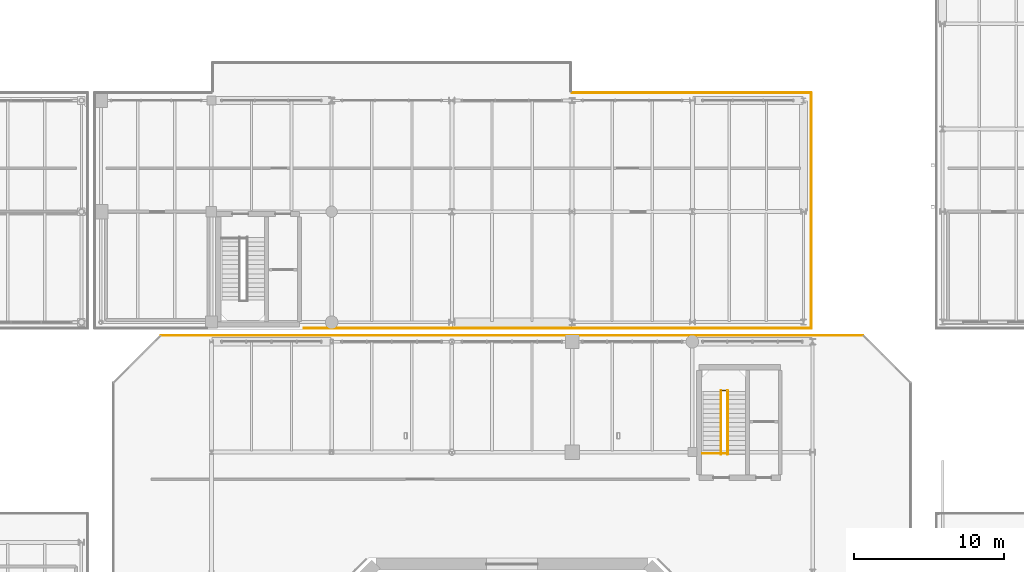
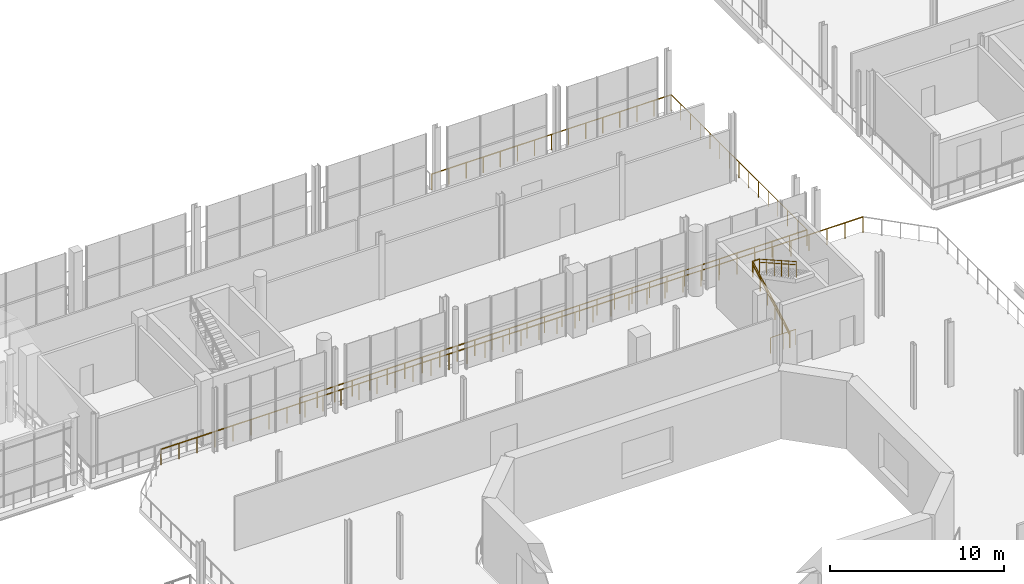
# One storey, part 89 of 93: 10 railings.
"""IFC4 building model written with IfcOpenShell, lengths in metres."""

from ifc_helpers import new_model, si_unit, direction, frame, origin, origin_2d, place, context, subcontext, project, spatial, circle, extrude, material, type_object, element, save


model = new_model("IFC4")

# Units and contexts
model_context = context("Model", 3, precision=1e-05, world=origin(), true_north=direction((0.0, 1.0)))
body_context = subcontext(model_context, "Body", "Model", "MODEL_VIEW")
ifc_project = project(units=[si_unit("LENGTHUNIT", "METRE"), si_unit("AREAUNIT", "SQUARE_METRE"), si_unit("VOLUMEUNIT", "CUBIC_METRE"), si_unit("PLANEANGLEUNIT", "RADIAN"), si_unit("MASSUNIT", "GRAM", prefix="KILO")], contexts=[model_context])

# Site, building, storey
site_placement = place(None, origin())
site = spatial("IfcSite", under=ifc_project, at=site_placement, CompositionType="ELEMENT")
building_placement = place(site_placement, origin())
building = spatial("IfcBuilding", under=site, at=building_placement, Name="Brisemont Oceanarium", CompositionType="ELEMENT")
storey_placement = place(building_placement, frame((0.0, 0.0, 5.39990234375)))
storey = spatial("IfcBuildingStorey", under=building, at=storey_placement, Name="L01", CompositionType="ELEMENT", Elevation=5.39990234375)

# Railings
ifc_material_1 = material(Name="Beaux-Arts Limestone Balustrade Precast Concrete C40/50", Category="masonry")
railing_type_1 = type_object("IfcRailingType", Name="RLG-BAL-1140", PredefinedType="BALUSTRADE", material=ifc_material_1)
railing_1_placement = place(storey_placement, frame((103.909423828125, 95.909912109375, 0.0)))
element("IfcRailing", 1, at=railing_1_placement, inside=storey, type_object=railing_type_1, Name="L01 slab perimeter safety guard 72", PredefinedType="BALUSTRADE", context=body_context, shape_type="SweptSolid", body=[
    extrude(circle(Radius=0.02392578125, at=origin_2d()), frame((0.0, 0.0, 1.11572265625), z_axis=(3.1161385e-05, -0.999999999514, 0.0), x_axis=(0.999999999514, 3.1161385e-05, 0.0)), (0.0, 0.0, 1.0), 15.66943359375),
    extrude(circle(Radius=0.02099609375, at=origin_2d()), origin(), (0.0, 0.0, 1.0), 1.091796875),
    extrude(circle(Radius=0.02099609375, at=origin_2d()), frame((0.0, -1.119140625, 0.0)), (0.0, 0.0, 1.0), 1.091796875),
    extrude(circle(Radius=0.02099609375, at=origin_2d()), frame((0.0, -2.238525390625, 0.0)), (0.0, 0.0, 1.0), 1.091796875),
    extrude(circle(Radius=0.02099609375, at=origin_2d()), frame((0.0, -3.357666015625, 0.0)), (0.0, 0.0, 1.0), 1.091796875),
    extrude(circle(Radius=0.02099609375, at=origin_2d()), frame((0.000244140625, -4.47705078125, 0.0)), (0.0, 0.0, 1.0), 1.091796875),
    extrude(circle(Radius=0.02099609375, at=origin_2d()), frame((0.000244140625, -5.59619140625, 0.0)), (0.0, 0.0, 1.0), 1.091796875),
    extrude(circle(Radius=0.02099609375, at=origin_2d()), frame((0.000244140625, -6.715576171875, 0.0)), (0.0, 0.0, 1.0), 1.091796875),
    extrude(circle(Radius=0.02099609375, at=origin_2d()), frame((0.000244140625, -7.834716796875, 0.0)), (0.0, 0.0, 1.0), 1.091796875),
    extrude(circle(Radius=0.02099609375, at=origin_2d()), frame((0.000244140625, -8.953857421875, 0.0)), (0.0, 0.0, 1.0), 1.091796875),
    extrude(circle(Radius=0.02099609375, at=origin_2d()), frame((0.000244140625, -10.0732421875, 0.0)), (0.0, 0.0, 1.0), 1.091796875),
    extrude(circle(Radius=0.02099609375, at=origin_2d()), frame((0.000244140625, -11.1923828125, 0.0)), (0.0, 0.0, 1.0), 1.091796875),
    extrude(circle(Radius=0.02099609375, at=origin_2d()), frame((0.00048828125, -12.311767578125, 0.0)), (0.0, 0.0, 1.0), 1.091796875),
    extrude(circle(Radius=0.02099609375, at=origin_2d()), frame((0.00048828125, -13.430908203125, 0.0)), (0.0, 0.0, 1.0), 1.091796875),
    extrude(circle(Radius=0.02099609375, at=origin_2d()), frame((0.00048828125, -14.55029296875, 0.0)), (0.0, 0.0, 1.0), 1.091796875),
    extrude(circle(Radius=0.02099609375, at=origin_2d()), frame((0.00048828125, -15.66943359375, 0.0)), (0.0, 0.0, 1.0), 1.091796875),
])
ifc_material_2 = material(Name="Duplex Stainless Steel EN 1.4462", Category="steel")
railing_type_2 = type_object("IfcRailingType", Name="RLG-GUARD-1120", PredefinedType="GUARDRAIL", material=ifc_material_2)
railing_2_placement = place(storey_placement, frame((96.669921875, 71.909912109375, 0.0)))
element("IfcRailing", 2, at=railing_2_placement, inside=storey, type_object=railing_type_2, Name="ST-02 L01 landing edge guard", PredefinedType="GUARDRAIL", context=body_context, shape_type="SweptSolid", body=[
    extrude(circle(Radius=0.02392578125, at=origin_2d()), frame((0.0, 0.0, 1.09619140625), z_axis=(1.0, 0.0, 0.0), x_axis=(0.0, 1.0, 0.0)), (0.0, 0.0, 1.0), 1.68017578125),
    extrude(circle(Radius=0.02099609375, at=origin_2d()), origin(), (0.0, 0.0, 1.0), 1.072021484375),
    extrude(circle(Radius=0.02099609375, at=origin_2d()), frame((0.840087890625, 0.0, 0.0)), (0.0, 0.0, 1.0), 1.072021484375),
    extrude(circle(Radius=0.02099609375, at=origin_2d()), frame((1.68017578125, 0.0, 0.0)), (0.0, 0.0, 1.0), 1.072021484375),
])
railing_3_placement = place(storey_placement, frame((97.909912109375, 71.85009765625, 0.0)))
element("IfcRailing", 3, at=railing_3_placement, inside=storey, type_object=railing_type_2, Name="ST-02 L01 F1 well guard", PredefinedType="GUARDRAIL", context=body_context, shape_type="SweptSolid", body=[
    extrude(circle(Radius=0.02392578125, at=origin_2d()), frame((0.0, 0.0, 1.09619140625), z_axis=(0.0, 0.870740716755, 0.491742416499), x_axis=(-1.0, 0.0, 0.0)), (0.0, 0.0, 1.0), 4.880859375),
    extrude(circle(Radius=0.02099609375, at=origin_2d()), origin(), (0.0, 0.0, 1.0), 1.072021484375),
    extrude(circle(Radius=0.02099609375, at=origin_2d()), frame((0.0, 0.85009765625, 0.47998046875)), (0.0, 0.0, 1.0), 1.072021484375),
    extrude(circle(Radius=0.02099609375, at=origin_2d()), frame((0.0, 1.699951171875, 0.9599609375)), (0.0, 0.0, 1.0), 1.072021484375),
    extrude(circle(Radius=0.02099609375, at=origin_2d()), frame((0.0, 2.550048828125, 1.440185546875)), (0.0, 0.0, 1.0), 1.072021484375),
    extrude(circle(Radius=0.02099609375, at=origin_2d()), frame((0.0, 3.39990234375, 1.920166015625)), (0.0, 0.0, 1.0), 1.072021484375),
    extrude(circle(Radius=0.02099609375, at=origin_2d()), frame((0.0, 4.25, 2.400146484375)), (0.0, 0.0, 1.0), 1.072021484375),
])
railing_4_placement = place(storey_placement, frame((98.35009765625, 76.10009765625, 2.400146484375)))
element("IfcRailing", 4, at=railing_4_placement, inside=storey, type_object=railing_type_2, Name="ST-02 L01 F2 well guard", PredefinedType="GUARDRAIL", context=body_context, shape_type="SweptSolid", body=[
    extrude(circle(Radius=0.02392578125, at=origin_2d()), frame((0.0, 0.0, 1.09619140625), z_axis=(0.0, -0.870762133844, 0.491704490791), x_axis=(1.0, 0.0, 0.0)), (0.0, 0.0, 1.0), 4.880859375),
    extrude(circle(Radius=0.02099609375, at=origin_2d()), origin(), (0.0, 0.0, 1.0), 1.072021484375),
    extrude(circle(Radius=0.02099609375, at=origin_2d()), frame((0.0, -0.85009765625, 0.47998046875)), (0.0, 0.0, 1.0), 1.072021484375),
    extrude(circle(Radius=0.02099609375, at=origin_2d()), frame((0.0, -1.699951171875, 0.9599609375)), (0.0, 0.0, 1.0), 1.072021484375),
    extrude(circle(Radius=0.02099609375, at=origin_2d()), frame((0.0, -2.550048828125, 1.43994140625)), (0.0, 0.0, 1.0), 1.072021484375),
    extrude(circle(Radius=0.02099609375, at=origin_2d()), frame((0.0, -3.39990234375, 1.919921875)), (0.0, 0.0, 1.0), 1.072021484375),
    extrude(circle(Radius=0.02099609375, at=origin_2d()), frame((0.0, -4.25, 2.39990234375)), (0.0, 0.0, 1.0), 1.072021484375),
])
railing_5_placement = place(storey_placement, frame((97.909912109375, 76.10009765625, 2.400146484375)))
element("IfcRailing", 5, at=railing_5_placement, inside=storey, type_object=railing_type_2, Name="ST-02 L01 landing slot guard", PredefinedType="GUARDRAIL", context=body_context, shape_type="SweptSolid", body=[
    extrude(circle(Radius=0.02392578125, at=origin_2d()), frame((0.0, 0.0, 1.09619140625), z_axis=(1.0, 0.0, 0.0), x_axis=(0.0, 1.0, 0.0)), (0.0, 0.0, 1.0), 0.440185546875),
    extrude(circle(Radius=0.02099609375, at=origin_2d()), origin(), (0.0, 0.0, 1.0), 1.072021484375),
    extrude(circle(Radius=0.02099609375, at=origin_2d()), frame((0.440185546875, 0.0, 0.0)), (0.0, 0.0, 1.0), 1.072021484375),
])
railing_6_placement = place(storey_placement, frame((60.63720703125, 79.760009765625, 0.0)))
element("IfcRailing", 6, at=railing_6_placement, inside=storey, type_object=railing_type_2, Name="L01 slab perimeter safety guard 45", PredefinedType="GUARDRAIL", context=body_context, shape_type="SweptSolid", body=[
    extrude(circle(Radius=0.02392578125, at=origin_2d()), frame((0.0, 0.0, 1.09619140625), z_axis=(1.0, 0.0, 0.0), x_axis=(0.0, 1.0, 0.0)), (0.0, 0.0, 1.0), 46.7255859375),
    extrude(circle(Radius=0.02099609375, at=origin_2d()), origin(), (0.0, 0.0, 1.0), 1.072021484375),
    extrude(circle(Radius=0.02099609375, at=origin_2d()), frame((1.197998046875, 0.0, 0.0)), (0.0, 0.0, 1.0), 1.072021484375),
    extrude(circle(Radius=0.02099609375, at=origin_2d()), frame((2.396240234375, 0.0, 0.0)), (0.0, 0.0, 1.0), 1.072021484375),
    extrude(circle(Radius=0.02099609375, at=origin_2d()), frame((3.59423828125, 0.0, 0.0)), (0.0, 0.0, 1.0), 1.072021484375),
    extrude(circle(Radius=0.02099609375, at=origin_2d()), frame((4.79248046875, 0.0, 0.0)), (0.0, 0.0, 1.0), 1.072021484375),
    extrude(circle(Radius=0.02099609375, at=origin_2d()), frame((5.990478515625, 0.0, 0.0)), (0.0, 0.0, 1.0), 1.072021484375),
    extrude(circle(Radius=0.02099609375, at=origin_2d()), frame((7.1884765625, 0.0, 0.0)), (0.0, 0.0, 1.0), 1.072021484375),
    extrude(circle(Radius=0.02099609375, at=origin_2d()), frame((8.38671875, 0.0, 0.0)), (0.0, 0.0, 1.0), 1.072021484375),
    extrude(circle(Radius=0.02099609375, at=origin_2d()), frame((9.584716796875, 0.0, 0.0)), (0.0, 0.0, 1.0), 1.072021484375),
    extrude(circle(Radius=0.02099609375, at=origin_2d()), frame((10.78271484375, 0.0, 0.0)), (0.0, 0.0, 1.0), 1.072021484375),
    extrude(circle(Radius=0.02099609375, at=origin_2d()), frame((11.98095703125, 0.0, 0.0)), (0.0, 0.0, 1.0), 1.072021484375),
    extrude(circle(Radius=0.02099609375, at=origin_2d()), frame((13.178955078125, 0.0, 0.0)), (0.0, 0.0, 1.0), 1.072021484375),
    extrude(circle(Radius=0.02099609375, at=origin_2d()), frame((14.377197265625, 0.0, 0.0)), (0.0, 0.0, 1.0), 1.072021484375),
    extrude(circle(Radius=0.02099609375, at=origin_2d()), frame((15.5751953125, 0.0, 0.0)), (0.0, 0.0, 1.0), 1.072021484375),
    extrude(circle(Radius=0.02099609375, at=origin_2d()), frame((16.773193359375, 0.0, 0.0)), (0.0, 0.0, 1.0), 1.072021484375),
    extrude(circle(Radius=0.02099609375, at=origin_2d()), frame((17.971435546875, 0.0, 0.0)), (0.0, 0.0, 1.0), 1.072021484375),
    extrude(circle(Radius=0.02099609375, at=origin_2d()), frame((19.16943359375, 0.0, 0.0)), (0.0, 0.0, 1.0), 1.072021484375),
    extrude(circle(Radius=0.02099609375, at=origin_2d()), frame((20.36767578125, 0.0, 0.0)), (0.0, 0.0, 1.0), 1.072021484375),
    extrude(circle(Radius=0.02099609375, at=origin_2d()), frame((21.565673828125, 0.0, 0.0)), (0.0, 0.0, 1.0), 1.072021484375),
    extrude(circle(Radius=0.02099609375, at=origin_2d()), frame((22.763671875, 0.0, 0.0)), (0.0, 0.0, 1.0), 1.072021484375),
    extrude(circle(Radius=0.02099609375, at=origin_2d()), frame((23.9619140625, 0.0, 0.0)), (0.0, 0.0, 1.0), 1.072021484375),
    extrude(circle(Radius=0.02099609375, at=origin_2d()), frame((25.159912109375, 0.0, 0.0)), (0.0, 0.0, 1.0), 1.072021484375),
    extrude(circle(Radius=0.02099609375, at=origin_2d()), frame((26.35791015625, 0.0, 0.0)), (0.0, 0.0, 1.0), 1.072021484375),
    extrude(circle(Radius=0.02099609375, at=origin_2d()), frame((27.55615234375, 0.0, 0.0)), (0.0, 0.0, 1.0), 1.072021484375),
    extrude(circle(Radius=0.02099609375, at=origin_2d()), frame((28.754150390625, 0.0, 0.0)), (0.0, 0.0, 1.0), 1.072021484375),
    extrude(circle(Radius=0.02099609375, at=origin_2d()), frame((29.952392578125, 0.0, 0.0)), (0.0, 0.0, 1.0), 1.072021484375),
    extrude(circle(Radius=0.02099609375, at=origin_2d()), frame((31.150390625, 0.0, 0.0)), (0.0, 0.0, 1.0), 1.072021484375),
    extrude(circle(Radius=0.02099609375, at=origin_2d()), frame((32.348388671875, 0.0, 0.0)), (0.0, 0.0, 1.0), 1.072021484375),
    extrude(circle(Radius=0.02099609375, at=origin_2d()), frame((33.546630859375, 0.0, 0.0)), (0.0, 0.0, 1.0), 1.072021484375),
    extrude(circle(Radius=0.02099609375, at=origin_2d()), frame((34.74462890625, 0.0, 0.0)), (0.0, 0.0, 1.0), 1.072021484375),
    extrude(circle(Radius=0.02099609375, at=origin_2d()), frame((35.94287109375, 0.0, 0.0)), (0.0, 0.0, 1.0), 1.072021484375),
    extrude(circle(Radius=0.02099609375, at=origin_2d()), frame((37.140869140625, 0.0, 0.0)), (0.0, 0.0, 1.0), 1.072021484375),
    extrude(circle(Radius=0.02099609375, at=origin_2d()), frame((38.3388671875, 0.0, 0.0)), (0.0, 0.0, 1.0), 1.072021484375),
    extrude(circle(Radius=0.02099609375, at=origin_2d()), frame((39.537109375, 0.0, 0.0)), (0.0, 0.0, 1.0), 1.072021484375),
    extrude(circle(Radius=0.02099609375, at=origin_2d()), frame((40.735107421875, 0.0, 0.0)), (0.0, 0.0, 1.0), 1.072021484375),
    extrude(circle(Radius=0.02099609375, at=origin_2d()), frame((41.93310546875, 0.0, 0.0)), (0.0, 0.0, 1.0), 1.072021484375),
    extrude(circle(Radius=0.02099609375, at=origin_2d()), frame((43.13134765625, 0.0, 0.0)), (0.0, 0.0, 1.0), 1.072021484375),
    extrude(circle(Radius=0.02099609375, at=origin_2d()), frame((44.329345703125, 0.0, 0.0)), (0.0, 0.0, 1.0), 1.072021484375),
    extrude(circle(Radius=0.02099609375, at=origin_2d()), frame((45.527587890625, 0.0, 0.0)), (0.0, 0.0, 1.0), 1.072021484375),
    extrude(circle(Radius=0.02099609375, at=origin_2d()), frame((46.7255859375, 0.0, 0.0)), (0.0, 0.0, 1.0), 1.072021484375),
])
railing_7_placement = place(storey_placement, frame((88.0048828125, 95.9111328125, 0.0)))
element("IfcRailing", 7, at=railing_7_placement, inside=storey, type_object=railing_type_2, Name="L01 slab perimeter safety guard 71", PredefinedType="GUARDRAIL", context=body_context, shape_type="SweptSolid", body=[
    extrude(circle(Radius=0.02392578125, at=origin_2d()), frame((0.0, 0.0, 1.09619140625), z_axis=(0.999999997055, -7.6751861e-05, 0.0), x_axis=(7.6751861e-05, 0.999999997055, 0.0)), (0.0, 0.0, 1.0), 15.904541015625),
    extrude(circle(Radius=0.02099609375, at=origin_2d()), origin(), (0.0, 0.0, 1.0), 1.072021484375),
    extrude(circle(Radius=0.02099609375, at=origin_2d()), frame((1.135986328125, 0.0, 0.0)), (0.0, 0.0, 1.0), 1.072021484375),
    extrude(circle(Radius=0.02099609375, at=origin_2d()), frame((2.27197265625, -0.000244140625, 0.0)), (0.0, 0.0, 1.0), 1.072021484375),
    extrude(circle(Radius=0.02099609375, at=origin_2d()), frame((3.408203125, -0.000244140625, 0.0)), (0.0, 0.0, 1.0), 1.072021484375),
    extrude(circle(Radius=0.02099609375, at=origin_2d()), frame((4.544189453125, -0.000244140625, 0.0)), (0.0, 0.0, 1.0), 1.072021484375),
    extrude(circle(Radius=0.02099609375, at=origin_2d()), frame((5.68017578125, -0.00048828125, 0.0)), (0.0, 0.0, 1.0), 1.072021484375),
    extrude(circle(Radius=0.02099609375, at=origin_2d()), frame((6.816162109375, -0.00048828125, 0.0)), (0.0, 0.0, 1.0), 1.072021484375),
    extrude(circle(Radius=0.02099609375, at=origin_2d()), frame((7.9521484375, -0.00048828125, 0.0)), (0.0, 0.0, 1.0), 1.072021484375),
    extrude(circle(Radius=0.02099609375, at=origin_2d()), frame((9.08837890625, -0.000732421875, 0.0)), (0.0, 0.0, 1.0), 1.072021484375),
    extrude(circle(Radius=0.02099609375, at=origin_2d()), frame((10.224365234375, -0.000732421875, 0.0)), (0.0, 0.0, 1.0), 1.072021484375),
    extrude(circle(Radius=0.02099609375, at=origin_2d()), frame((11.3603515625, -0.0009765625, 0.0)), (0.0, 0.0, 1.0), 1.072021484375),
    extrude(circle(Radius=0.02099609375, at=origin_2d()), frame((12.496337890625, -0.0009765625, 0.0)), (0.0, 0.0, 1.0), 1.072021484375),
    extrude(circle(Radius=0.02099609375, at=origin_2d()), frame((13.632568359375, -0.0009765625, 0.0)), (0.0, 0.0, 1.0), 1.072021484375),
    extrude(circle(Radius=0.02099609375, at=origin_2d()), frame((14.7685546875, -0.001220703125, 0.0)), (0.0, 0.0, 1.0), 1.072021484375),
    extrude(circle(Radius=0.02099609375, at=origin_2d()), frame((15.904541015625, -0.001220703125, 0.0)), (0.0, 0.0, 1.0), 1.072021484375),
])
railing_8_placement = place(storey_placement, frame((103.909912109375, 80.240478515625, 0.0)))
element("IfcRailing", 8, at=railing_8_placement, inside=storey, type_object=railing_type_2, Name="L01 slab perimeter safety guard 73", PredefinedType="GUARDRAIL", context=body_context, shape_type="SweptSolid", body=[
    extrude(circle(Radius=0.02392578125, at=origin_2d()), frame((0.0, 0.0, 1.09619140625), z_axis=(-0.999999999895, -1.4463303e-05, 0.0), x_axis=(1.4463303e-05, -0.999999999895, 0.0)), (0.0, 0.0, 1.0), 33.760009765625),
    extrude(circle(Radius=0.02099609375, at=origin_2d()), origin(), (0.0, 0.0, 1.0), 1.072021484375),
    extrude(circle(Radius=0.02099609375, at=origin_2d()), frame((-1.1640625, 0.0, 0.0)), (0.0, 0.0, 1.0), 1.072021484375),
    extrude(circle(Radius=0.02099609375, at=origin_2d()), frame((-2.328369140625, 0.0, 0.0)), (0.0, 0.0, 1.0), 1.072021484375),
    extrude(circle(Radius=0.02099609375, at=origin_2d()), frame((-3.492431640625, 0.0, 0.0)), (0.0, 0.0, 1.0), 1.072021484375),
    extrude(circle(Radius=0.02099609375, at=origin_2d()), frame((-4.656494140625, 0.0, 0.0)), (0.0, 0.0, 1.0), 1.072021484375),
    extrude(circle(Radius=0.02099609375, at=origin_2d()), frame((-5.82080078125, 0.0, 0.0)), (0.0, 0.0, 1.0), 1.072021484375),
    extrude(circle(Radius=0.02099609375, at=origin_2d()), frame((-6.98486328125, 0.0, 0.0)), (0.0, 0.0, 1.0), 1.072021484375),
    extrude(circle(Radius=0.02099609375, at=origin_2d()), frame((-8.14892578125, 0.0, 0.0)), (0.0, 0.0, 1.0), 1.072021484375),
    extrude(circle(Radius=0.02099609375, at=origin_2d()), frame((-9.31298828125, -0.000244140625, 0.0)), (0.0, 0.0, 1.0), 1.072021484375),
    extrude(circle(Radius=0.02099609375, at=origin_2d()), frame((-10.477294921875, -0.000244140625, 0.0)), (0.0, 0.0, 1.0), 1.072021484375),
    extrude(circle(Radius=0.02099609375, at=origin_2d()), frame((-11.641357421875, -0.000244140625, 0.0)), (0.0, 0.0, 1.0), 1.072021484375),
    extrude(circle(Radius=0.02099609375, at=origin_2d()), frame((-12.805419921875, -0.000244140625, 0.0)), (0.0, 0.0, 1.0), 1.072021484375),
    extrude(circle(Radius=0.02099609375, at=origin_2d()), frame((-13.9697265625, -0.000244140625, 0.0)), (0.0, 0.0, 1.0), 1.072021484375),
    extrude(circle(Radius=0.02099609375, at=origin_2d()), frame((-15.1337890625, -0.000244140625, 0.0)), (0.0, 0.0, 1.0), 1.072021484375),
    extrude(circle(Radius=0.02099609375, at=origin_2d()), frame((-16.2978515625, -0.000244140625, 0.0)), (0.0, 0.0, 1.0), 1.072021484375),
    extrude(circle(Radius=0.02099609375, at=origin_2d()), frame((-17.462158203125, -0.000244140625, 0.0)), (0.0, 0.0, 1.0), 1.072021484375),
    extrude(circle(Radius=0.02099609375, at=origin_2d()), frame((-18.626220703125, -0.000244140625, 0.0)), (0.0, 0.0, 1.0), 1.072021484375),
    extrude(circle(Radius=0.02099609375, at=origin_2d()), frame((-19.790283203125, -0.000244140625, 0.0)), (0.0, 0.0, 1.0), 1.072021484375),
    extrude(circle(Radius=0.02099609375, at=origin_2d()), frame((-20.95458984375, -0.000244140625, 0.0)), (0.0, 0.0, 1.0), 1.072021484375),
    extrude(circle(Radius=0.02099609375, at=origin_2d()), frame((-22.11865234375, -0.000244140625, 0.0)), (0.0, 0.0, 1.0), 1.072021484375),
    extrude(circle(Radius=0.02099609375, at=origin_2d()), frame((-23.28271484375, -0.000244140625, 0.0)), (0.0, 0.0, 1.0), 1.072021484375),
    extrude(circle(Radius=0.02099609375, at=origin_2d()), frame((-24.447021484375, -0.000244140625, 0.0)), (0.0, 0.0, 1.0), 1.072021484375),
    extrude(circle(Radius=0.02099609375, at=origin_2d()), frame((-25.611083984375, -0.00048828125, 0.0)), (0.0, 0.0, 1.0), 1.072021484375),
    extrude(circle(Radius=0.02099609375, at=origin_2d()), frame((-26.775146484375, -0.00048828125, 0.0)), (0.0, 0.0, 1.0), 1.072021484375),
    extrude(circle(Radius=0.02099609375, at=origin_2d()), frame((-27.939208984375, -0.00048828125, 0.0)), (0.0, 0.0, 1.0), 1.072021484375),
    extrude(circle(Radius=0.02099609375, at=origin_2d()), frame((-29.103515625, -0.00048828125, 0.0)), (0.0, 0.0, 1.0), 1.072021484375),
    extrude(circle(Radius=0.02099609375, at=origin_2d()), frame((-30.267578125, -0.00048828125, 0.0)), (0.0, 0.0, 1.0), 1.072021484375),
    extrude(circle(Radius=0.02099609375, at=origin_2d()), frame((-31.431640625, -0.00048828125, 0.0)), (0.0, 0.0, 1.0), 1.072021484375),
    extrude(circle(Radius=0.02099609375, at=origin_2d()), frame((-32.595947265625, -0.00048828125, 0.0)), (0.0, 0.0, 1.0), 1.072021484375),
    extrude(circle(Radius=0.02099609375, at=origin_2d()), frame((-33.760009765625, -0.00048828125, 0.0)), (0.0, 0.0, 1.0), 1.072021484375),
])
ifc_material_3 = material(Name="Duplex Stainless Steel EN 1.4462", Category="steel")
railing_type_3 = type_object("IfcRailingType", Name="RLG-HAND-900", PredefinedType="HANDRAIL", material=ifc_material_3)
railing_9_placement = place(storey_placement, frame((97.909912109375, 71.85009765625, 0.0)))
element("IfcRailing", 9, at=railing_9_placement, inside=storey, type_object=railing_type_3, Name="ST-02 L01 F1 handrail", PredefinedType="HANDRAIL", context=body_context, shape_type="SweptSolid", body=[
    extrude(circle(Radius=0.02392578125, at=origin_2d()), frame((0.0, 0.0, 0.8759765625), z_axis=(0.0, 0.870740716755, 0.491742416499), x_axis=(-1.0, 0.0, 0.0)), (0.0, 0.0, 1.0), 4.880859375),
    extrude(circle(Radius=0.02099609375, at=origin_2d()), origin(), (0.0, 0.0, 1.0), 0.851806640625),
    extrude(circle(Radius=0.02099609375, at=origin_2d()), frame((0.0, 0.85009765625, 0.47998046875)), (0.0, 0.0, 1.0), 0.851806640625),
    extrude(circle(Radius=0.02099609375, at=origin_2d()), frame((0.0, 1.699951171875, 0.9599609375)), (0.0, 0.0, 1.0), 0.851806640625),
    extrude(circle(Radius=0.02099609375, at=origin_2d()), frame((0.0, 2.550048828125, 1.440185546875)), (0.0, 0.0, 1.0), 0.851806640625),
    extrude(circle(Radius=0.02099609375, at=origin_2d()), frame((0.0, 3.39990234375, 1.920166015625)), (0.0, 0.0, 1.0), 0.851806640625),
    extrude(circle(Radius=0.02099609375, at=origin_2d()), frame((0.0, 4.25, 2.400146484375)), (0.0, 0.0, 1.0), 0.851806640625),
])
railing_10_placement = place(storey_placement, frame((98.35009765625, 76.10009765625, 2.400146484375)))
element("IfcRailing", 10, at=railing_10_placement, inside=storey, type_object=railing_type_3, Name="ST-02 L01 F2 handrail", PredefinedType="HANDRAIL", context=body_context, shape_type="SweptSolid", body=[
    extrude(circle(Radius=0.02392578125, at=origin_2d()), frame((0.0, 0.0, 0.8759765625), z_axis=(0.0, -0.870762133844, 0.491704490791), x_axis=(1.0, 0.0, 0.0)), (0.0, 0.0, 1.0), 4.880859375),
    extrude(circle(Radius=0.02099609375, at=origin_2d()), origin(), (0.0, 0.0, 1.0), 0.851806640625),
    extrude(circle(Radius=0.02099609375, at=origin_2d()), frame((0.0, -0.85009765625, 0.47998046875)), (0.0, 0.0, 1.0), 0.851806640625),
    extrude(circle(Radius=0.02099609375, at=origin_2d()), frame((0.0, -1.699951171875, 0.9599609375)), (0.0, 0.0, 1.0), 0.851806640625),
    extrude(circle(Radius=0.02099609375, at=origin_2d()), frame((0.0, -2.550048828125, 1.43994140625)), (0.0, 0.0, 1.0), 0.851806640625),
    extrude(circle(Radius=0.02099609375, at=origin_2d()), frame((0.0, -3.39990234375, 1.919921875)), (0.0, 0.0, 1.0), 0.851806640625),
    extrude(circle(Radius=0.02099609375, at=origin_2d()), frame((0.0, -4.25, 2.39990234375)), (0.0, 0.0, 1.0), 0.851806640625),
])

save(model, "model.ifc")
